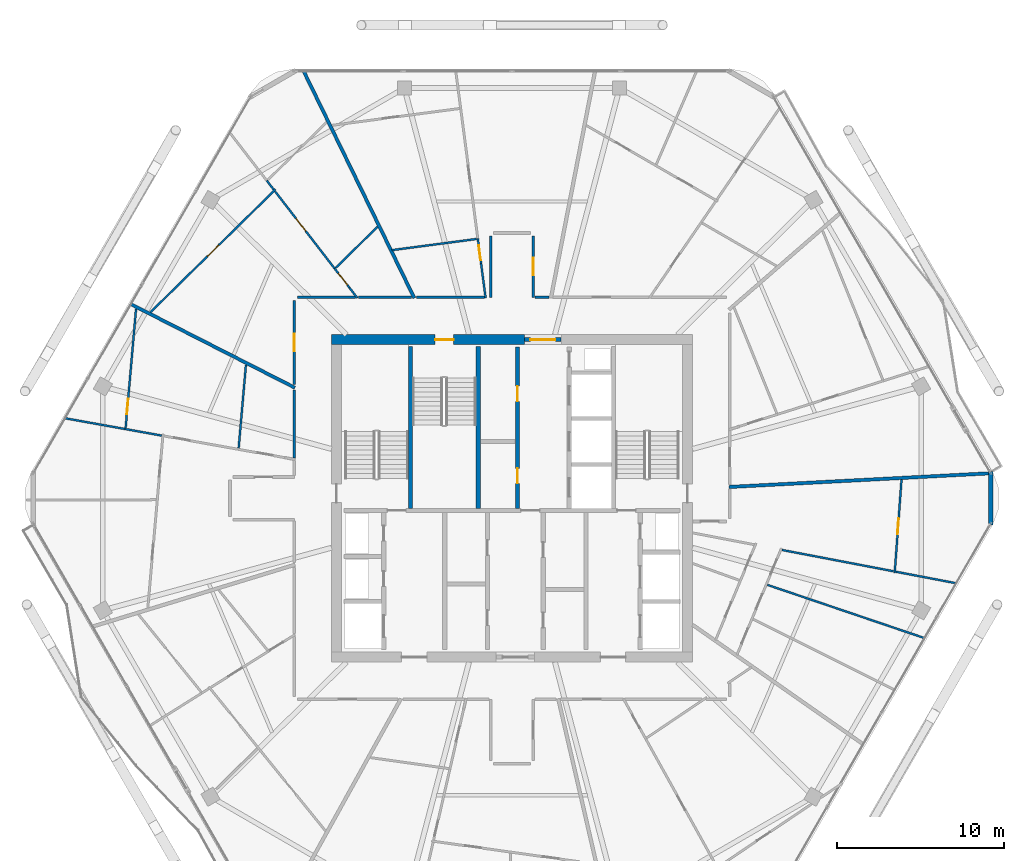
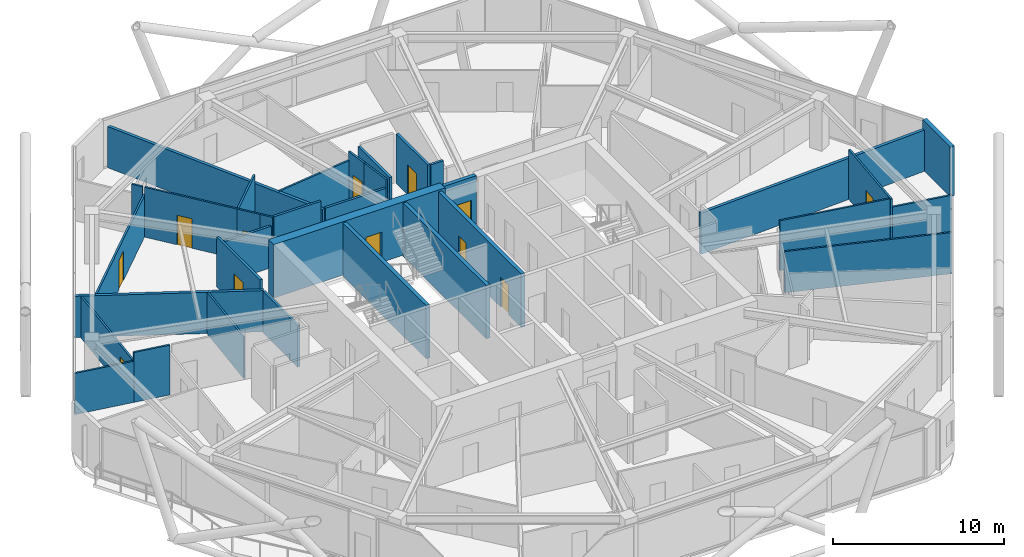
# One storey, part 23 of 28: 34 walls, 12 doors, 12 openings.
"""IFC4 building model written with IfcOpenShell, lengths in metres."""

from ifc_helpers import new_model, si_unit, direction, frame, frame_2d, origin, place, context, subcontext, project, spatial, rectangle, extrude, material, layer, layer_set, type_object, element, fill, save


model = new_model("IFC4")

# Units and contexts
model_context = context("Model", 3, precision=1e-05, world=origin(), true_north=direction((0.0, 1.0)))
body_context = subcontext(model_context, "Body", "Model", "MODEL_VIEW")
ifc_project = project(units=[si_unit("LENGTHUNIT", "METRE"), si_unit("AREAUNIT", "SQUARE_METRE"), si_unit("VOLUMEUNIT", "CUBIC_METRE"), si_unit("PLANEANGLEUNIT", "RADIAN"), si_unit("MASSUNIT", "GRAM", prefix="KILO")], contexts=[model_context])

# Site, building, storey
site_placement = place(None, origin())
site = spatial("IfcSite", under=ifc_project, at=site_placement, CompositionType="ELEMENT")
building_placement = place(site_placement, origin())
building = spatial("IfcBuilding", under=site, at=building_placement, Name="Zuhravey Tower", CompositionType="ELEMENT")
storey_placement = place(building_placement, frame((0.0, 0.0, 284.39990234375)))
storey = spatial("IfcBuildingStorey", under=building, at=storey_placement, Name="L72", CompositionType="ELEMENT", Elevation=284.39990234375)

# Wall, opening, door
ifc_material_1 = material(Name="Concrete C50/60", Category="concrete")
ifc_layer_1 = layer(ifc_material_1, 0.60009765625)
ifc_layer_set_1 = layer_set([ifc_layer_1], Name="Concrete C50/60")
wall_type_1 = type_object("IfcWallType", Name="Core Shear Wall 600", PredefinedType="SHEAR", material=ifc_layer_set_1)
wall_1_placement = place(storey_placement, frame((36.75, 41.5, 0.0), z_axis=(0.0, 0.0, 1.0), x_axis=(-1.0, 0.0, 0.0)))
wall_1 = element("IfcWall", 1, at=wall_1_placement, inside=storey, type_object=wall_type_1, Name="L72 North-West Core Shear Wall CW60", PredefinedType="SHEAR", context=body_context, shape_type="SweptSolid", body=[
    extrude(rectangle(XDim=11.550048828125, YDim=0.60009765625, at=frame_2d((5.77490234375, 0.0))), origin(), (0.0, 0.0, 1.0), 3.800048828125),
])
opening_1_placement = place(wall_1_placement, frame((4.25, 0.0, 0.0)))
opening_1 = element("IfcOpeningElement", 2, at=opening_1_placement, cuts=wall_1, Name="Opening STD1", PredefinedType="OPENING", context=body_context, shape_type="SweptSolid", body=[
    extrude(rectangle(XDim=1.10009765625, YDim=2.14990234375, at=frame_2d((0.550048828125, 1.074951171875))), frame((0.0, 0.31201171875, 0.0), z_axis=(0.0, -1.0, 0.0), x_axis=(1.0, 0.0, 0.0)), (0.0, 0.0, 1.0), 0.6240234375),
])
ifc_material_2 = material(Name="Galvanised fire-rated steel leaf", Category="steel")
door_type_1 = type_object("IfcDoorType", Name="Protected Stair Fire Door 1100x2150", OperationType="NOTDEFINED", PredefinedType="USERDEFINED", material=ifc_material_2)
door_1_placement = place(opening_1_placement, origin())
door_1 = element("IfcDoor", 3, at=door_1_placement, inside=storey, type_object=door_type_1, Name="L72 Stair ST3 Door", ObjectType="EXITDOOR", OperationType="SINGLE_SWING_RIGHT", OverallHeight=2.14990234375, OverallWidth=1.10009765625, PredefinedType="USERDEFINED", context=body_context, shape_type="SweptSolid", body=[
    extrude(rectangle(XDim=1.10009765625, YDim=2.14990234375, at=frame_2d((0.550048828125, 1.074951171875))), frame((0.0, 0.02490234375, 0.0), z_axis=(0.0, -1.0, 0.0), x_axis=(1.0, 0.0, 0.0)), (0.0, 0.0, 1.0), 0.050048828125),
])
fill(opening_1, door_1)

ifc_material_3 = material(Name="Gypsum fire-rated stud partition")
ifc_layer_2 = layer(ifc_material_3, 0.159912109375)
ifc_layer_set_2 = layer_set([ifc_layer_2], Name="Gypsum fire-rated stud partition")
wall_type_2 = type_object("IfcWallType", Name="Corridor Fire Partition 160", PredefinedType="PARTITIONING", material=ifc_layer_set_2)
wall_2_placement = place(storey_placement, frame((37.280029296875, 44.030029296875, 0.0), z_axis=(0.0, 0.0, 1.0), x_axis=(0.0, 1.0, 0.0)))
wall_2 = element("IfcWall", 4, at=wall_2_placement, inside=storey, type_object=wall_type_2, Name="L72 IW16 Partition 059", PredefinedType="PARTITIONING", context=body_context, shape_type="SweptSolid", body=[
    extrude(rectangle(XDim=3.669921875, YDim=0.159912109375, at=frame_2d((1.8349609375, 0.0))), origin(), (0.0, 0.0, 1.0), 3.550048828125),
])
opening_2_placement = place(wall_2_placement, frame((1.31005859375, 0.0, 0.0)))
opening_2 = element("IfcOpeningElement", 5, at=opening_2_placement, cuts=wall_2, Name="Opening APD1", PredefinedType="OPENING", context=body_context, shape_type="SweptSolid", body=[
    extrude(rectangle(XDim=1.050048828125, YDim=2.14990234375, at=frame_2d((0.52490234375, 1.074951171875))), frame((0.0, 0.092041015625, 0.0), z_axis=(0.0, -1.0, 0.0), x_axis=(1.0, 0.0, 0.0)), (0.0, 0.0, 1.0), 0.183837890625),
])
ifc_material_4 = material(Name="Solid-core oak fire-rated leaf")
door_type_2 = type_object("IfcDoorType", Name="Apartment Entrance Fire Door 1050x2150", OperationType="NOTDEFINED", PredefinedType="DOOR", material=ifc_material_4)
door_2_placement = place(opening_2_placement, origin())
door_2 = element("IfcDoor", 6, at=door_2_placement, inside=storey, type_object=door_type_2, Name="L72 Door 059.1", OperationType="SINGLE_SWING_LEFT", OverallHeight=2.14990234375, OverallWidth=1.050048828125, PredefinedType="DOOR", context=body_context, shape_type="SweptSolid", body=[
    extrude(rectangle(XDim=1.050048828125, YDim=2.14990234375, at=frame_2d((0.52490234375, 1.074951171875))), frame((0.0, 0.02490234375, 0.0), z_axis=(0.0, -1.0, 0.0), x_axis=(1.0, 0.0, 0.0)), (0.0, 0.0, 1.0), 0.050048828125),
])
fill(opening_2, door_2)

wall_3_placement = place(storey_placement, frame((22.969970703125, 43.85009765625, 0.0), z_axis=(0.0, 0.0, 1.0), x_axis=(0.0, -1.0, 0.0)))
wall_3 = element("IfcWall", 7, at=wall_3_placement, inside=storey, type_object=wall_type_2, Name="L72 IW16 Partition 065", PredefinedType="PARTITIONING", context=body_context, shape_type="SweptSolid", body=[
    extrude(rectangle(XDim=5.044677734375, YDim=0.159912109375, at=frame_2d((2.5224609375, 0.0))), origin(), (0.0, 0.0, 1.0), 3.550048828125),
])
opening_3_placement = place(wall_3_placement, frame((1.997314453125, 0.0, 0.0)))
opening_3 = element("IfcOpeningElement", 8, at=opening_3_placement, cuts=wall_3, Name="Opening APD1", PredefinedType="OPENING", context=body_context, shape_type="SweptSolid", body=[
    extrude(rectangle(XDim=1.050048828125, YDim=2.14990234375, at=frame_2d((0.52490234375, 1.074951171875))), frame((0.0, 0.092041015625, 0.0), z_axis=(0.0, -1.0, 0.0), x_axis=(1.0, 0.0, 0.0)), (0.0, 0.0, 1.0), 0.183837890625),
])
door_3_placement = place(opening_3_placement, frame((1.050048828125, 0.0, 0.0), z_axis=(0.0, 0.0, 1.0), x_axis=(-1.0, 0.0, 0.0)))
door_3 = element("IfcDoor", 9, at=door_3_placement, inside=storey, type_object=door_type_2, Name="L72 Door 065.1", OperationType="SINGLE_SWING_RIGHT", OverallHeight=2.14990234375, OverallWidth=1.050048828125, PredefinedType="DOOR", context=body_context, shape_type="SweptSolid", body=[
    extrude(rectangle(XDim=1.050048828125, YDim=2.14990234375, at=frame_2d((0.52490234375, 1.074951171875))), frame((0.0, 0.02490234375, 0.0), z_axis=(0.0, -1.0, 0.0), x_axis=(1.0, 0.0, 0.0)), (0.0, 0.0, 1.0), 0.050048828125),
])
fill(opening_3, door_3)

# Walls
wall_4_placement = place(storey_placement, frame((22.969970703125, 38.47412109375, 0.0), z_axis=(0.0, 0.0, 1.0), x_axis=(0.0, -1.0, 0.0)))
element("IfcWall", 10, at=wall_4_placement, inside=storey, type_object=wall_type_2, Name="L72 IW16 Partition 118", PredefinedType="PARTITIONING", context=body_context, shape_type="SweptSolid", body=[
    extrude(rectangle(XDim=4.06982421875, YDim=0.159912109375, at=frame_2d((2.034912109375, 0.0))), origin(), (0.0, 0.0, 1.0), 2.9501953125),
])
wall_5_placement = place(storey_placement, frame((34.719970703125, 47.699951171875, 0.0), z_axis=(0.0, 0.0, 1.0), x_axis=(0.0, -1.0, 0.0)))
element("IfcWall", 11, at=wall_5_placement, inside=storey, type_object=wall_type_2, Name="L72 IW16 Partition 132", PredefinedType="PARTITIONING", context=body_context, shape_type="SweptSolid", body=[
    extrude(rectangle(XDim=3.669921875, YDim=0.159912109375, at=frame_2d((1.8349609375, 0.0))), origin(), (0.0, 0.0, 1.0), 3.550048828125),
])
wall_6_placement = place(storey_placement, frame((38.209228515625, 44.030029296875, 0.0), z_axis=(0.0, 0.0, 1.0), x_axis=(-1.0, 0.0, 0.0)))
element("IfcWall", 12, at=wall_6_placement, inside=storey, type_object=wall_type_2, Name="L72 IW16 Partition 134", PredefinedType="PARTITIONING", context=body_context, shape_type="SweptSolid", body=[
    extrude(rectangle(XDim=0.84130859375, YDim=0.159912109375, at=frame_2d((0.420654296875, 0.0))), origin(), (0.0, 0.0, 1.0), 3.550048828125),
])
wall_7_placement = place(storey_placement, frame((34.34765625, 44.030029296875, 0.0), z_axis=(0.0, 0.0, 1.0), x_axis=(-1.0, 0.0, 0.0)))
element("IfcWall", 13, at=wall_7_placement, inside=storey, type_object=wall_type_2, Name="L72 IW16 Partition 135", PredefinedType="PARTITIONING", context=body_context, shape_type="SweptSolid", body=[
    extrude(rectangle(XDim=4.0634765625, YDim=0.159912109375, at=frame_2d((2.03173828125, 0.0))), origin(), (0.0, 0.0, 1.0), 2.9501953125),
])
wall_8_placement = place(storey_placement, frame((26.629638671875, 44.030029296875, 0.0), z_axis=(0.0, 0.0, 1.0), x_axis=(-1.0, 0.0, 0.0)))
element("IfcWall", 14, at=wall_8_placement, inside=storey, type_object=wall_type_2, Name="L72 IW16 Partition 136", PredefinedType="PARTITIONING", context=body_context, shape_type="SweptSolid", body=[
    extrude(rectangle(XDim=3.479736328125, YDim=0.159912109375, at=frame_2d((1.73974609375, 0.0))), origin(), (0.0, 0.0, 1.0), 2.9501953125),
])
wall_9_placement = place(storey_placement, frame((29.979736328125, 44.030029296875, 0.0), z_axis=(0.0, 0.0, 1.0), x_axis=(-1.0, 0.0, 0.0)))
element("IfcWall", 15, at=wall_9_placement, inside=storey, type_object=wall_type_2, Name="L72 IW16 Partition 137", PredefinedType="PARTITIONING", context=body_context, shape_type="SweptSolid", body=[
    extrude(rectangle(XDim=3.17822265625, YDim=0.159912109375, at=frame_2d((1.589111328125, 0.0))), origin(), (0.0, 0.0, 1.0), 3.550048828125),
])
ifc_material_5 = material(Name="Precast concrete C40/50", Category="concrete")
ifc_layer_3 = layer(ifc_material_5, 0.280029296875)
ifc_layer_set_3 = layer_set([ifc_layer_3], Name="Precast concrete C40/50")
wall_type_3 = type_object("IfcWallType", Name="Crown Architectural Wall 280", PredefinedType="SOLIDWALL", material=ifc_layer_set_3)
wall_10_placement = place(storey_placement, frame((64.64501953125, 33.607421875, 0.0), z_axis=(0.0, 0.0, 1.0), x_axis=(0.0, -1.0, 0.0)))
element("IfcWall", 16, at=wall_10_placement, inside=storey, type_object=wall_type_3, Name="L72 Rounded Corner Closure Wall EW28-12", PredefinedType="SOLIDWALL", context=body_context, shape_type="SweptSolid", body=[
    extrude(rectangle(XDim=3.21484375, YDim=0.280029296875, at=frame_2d((1.607421875, 0.0))), origin(), (0.0, 0.0, 1.0), 3.550048828125),
])

# Wall, opening, door
ifc_layer_4 = layer(ifc_material_1, 0.25)
ifc_layer_set_4 = layer_set([ifc_layer_4], Name="Concrete C50/60")
wall_type_4 = type_object("IfcWallType", Name="Firefighting Shaft & Stair Wall 250", PredefinedType="SOLIDWALL", material=ifc_layer_set_4)
wall_11_placement = place(storey_placement, frame((36.760009765625, 41.5, 0.0), z_axis=(0.0, 0.0, 1.0), x_axis=(1.0, 0.0, 0.0)))
wall_11 = element("IfcWall", 17, at=wall_11_placement, inside=storey, type_object=wall_type_4, Name="L72 FW25 Shaft Wall 002", PredefinedType="SOLIDWALL", context=body_context, shape_type="SweptSolid", body=[
    extrude(rectangle(XDim=2.179931640625, YDim=0.25, at=frame_2d((1.08984375, 0.0))), origin(), (0.0, 0.0, 1.0), 3.800048828125),
])
opening_4_placement = place(wall_11_placement, frame((0.340087890625, 0.0, 0.0)))
opening_4 = element("IfcOpeningElement", 18, at=opening_4_placement, cuts=wall_11, Name="Opening FFD1", PredefinedType="OPENING", context=body_context, shape_type="SweptSolid", body=[
    extrude(rectangle(XDim=1.5, YDim=2.14990234375, at=frame_2d((0.75, 1.074951171875))), frame((0.0, 0.136962890625, 0.0), z_axis=(0.0, -1.0, 0.0), x_axis=(1.0, 0.0, 0.0)), (0.0, 0.0, 1.0), 0.27392578125),
])
door_type_3 = type_object("IfcDoorType", Name="Firefighting Lobby Double Door 1500x2150", OperationType="DOUBLE_DOOR_SINGLE_SWING", PredefinedType="DOOR", material=ifc_material_2)
door_4_placement = place(opening_4_placement, origin())
door_4 = element("IfcDoor", 19, at=door_4_placement, inside=storey, type_object=door_type_3, Name="L72 North Lift Lobby Exit Door", OperationType="DOUBLE_DOOR_SINGLE_SWING", OverallHeight=2.14990234375, OverallWidth=1.5, PredefinedType="DOOR", context=body_context, shape_type="SweptSolid", body=[
    extrude(rectangle(XDim=1.5, YDim=2.14990234375, at=frame_2d((0.75, 1.074951171875))), frame((0.0, 0.02490234375, 0.0), z_axis=(0.0, -1.0, 0.0), x_axis=(1.0, 0.0, 0.0)), (0.0, 0.0, 1.0), 0.050048828125),
])
fill(opening_4, door_4)

# Walls
for number, where, z_axis, x_axis, name in (
    (20, (29.925048828125, 31.39990234375, 0.0), (0.0, 0.0, 1.0), (0.0, 1.0, 0.0), "L72 FW25 Shaft Wall 004"),
    (21, (33.97509765625, 31.39990234375, 0.0), (0.0, 0.0, 1.0), (0.0, 1.0, 0.0), "L72 FW25 Shaft Wall 005"),
):
    element("IfcWall", number, at=place(storey_placement, frame(where, z_axis=z_axis, x_axis=x_axis)), inside=storey, type_object=wall_type_4, Name=name, PredefinedType="SOLIDWALL", context=body_context, shape_type="SweptSolid", body=[
        extrude(rectangle(XDim=9.7001953125, YDim=0.25, at=frame_2d((4.85009765625, 0.0))), origin(), (0.0, 0.0, 1.0), 3.800048828125),
    ])

# Wall, openings, doors
wall_12_placement = place(storey_placement, frame((36.324951171875, 31.39990234375, 0.0), z_axis=(0.0, 0.0, 1.0), x_axis=(0.0, 1.0, 0.0)))
wall_12 = element("IfcWall", 22, at=wall_12_placement, inside=storey, type_object=wall_type_4, Name="L72 FW25 Shaft Wall 007", PredefinedType="SOLIDWALL", context=body_context, shape_type="SweptSolid", body=[
    extrude(rectangle(XDim=9.650146484375, YDim=0.25, at=frame_2d((4.8251953125, 0.0))), origin(), (0.0, 0.0, 1.0), 3.800048828125),
])
opening_5_placement = place(wall_12_placement, frame((1.489990234375, 0.0, 0.0)))
opening_5 = element("IfcOpeningElement", 23, at=opening_5_placement, cuts=wall_12, Name="Opening RSD1", PredefinedType="OPENING", context=body_context, shape_type="SweptSolid", body=[
    extrude(rectangle(XDim=0.89990234375, YDim=2.10009765625, at=frame_2d((0.449951171875, 1.050048828125))), frame((0.0, 0.136962890625, 0.0), z_axis=(0.0, -1.0, 0.0), x_axis=(1.0, 0.0, 0.0)), (0.0, 0.0, 1.0), 0.27392578125),
])
opening_6_placement = place(wall_12_placement, frame((6.409912109375, 0.0, 0.0)))
opening_6 = element("IfcOpeningElement", 24, at=opening_6_placement, cuts=wall_12, Name="Opening RSD1", PredefinedType="OPENING", context=body_context, shape_type="SweptSolid", body=[
    extrude(rectangle(XDim=0.89990234375, YDim=2.10009765625, at=frame_2d((0.449951171875, 1.050048828125))), frame((0.0, 0.136962890625, 0.0), z_axis=(0.0, -1.0, 0.0), x_axis=(1.0, 0.0, 0.0)), (0.0, 0.0, 1.0), 0.27392578125),
])
ifc_material_6 = material(Name="Galvanised fire-rated steel access leaf", Category="steel")
door_type_4 = type_object("IfcDoorType", Name="Riser & Shaft Access Fire Door 900x2100", OperationType="NOTDEFINED", PredefinedType="DOOR", material=ifc_material_6)
door_5_placement = place(opening_5_placement, origin())
door_5 = element("IfcDoor", 25, at=door_5_placement, inside=storey, type_object=door_type_4, Name="L72 Core Cleaner Store Door", OperationType="SINGLE_SWING_RIGHT", OverallHeight=2.10009765625, OverallWidth=0.89990234375, PredefinedType="DOOR", context=body_context, shape_type="SweptSolid", body=[
    extrude(rectangle(XDim=0.89990234375, YDim=2.10009765625, at=frame_2d((0.449951171875, 1.050048828125))), frame((0.0, 0.02490234375, 0.0), z_axis=(0.0, -1.0, 0.0), x_axis=(1.0, 0.0, 0.0)), (0.0, 0.0, 1.0), 0.050048828125),
])
fill(opening_5, door_5)
door_6_placement = place(opening_6_placement, origin())
door_6 = element("IfcDoor", 26, at=door_6_placement, inside=storey, type_object=door_type_4, Name="L72 Core Pantry and Tea Room Door", OperationType="SINGLE_SWING_LEFT", OverallHeight=2.10009765625, OverallWidth=0.89990234375, PredefinedType="DOOR", context=body_context, shape_type="SweptSolid", body=[
    extrude(rectangle(XDim=0.89990234375, YDim=2.10009765625, at=frame_2d((0.449951171875, 1.050048828125))), frame((0.0, 0.02490234375, 0.0), z_axis=(0.0, -1.0, 0.0), x_axis=(1.0, 0.0, 0.0)), (0.0, 0.0, 1.0), 0.050048828125),
])
fill(opening_6, door_6)

# Walls
ifc_material_7 = material(Name="Gypsum double-stud party assembly")
ifc_layer_5 = layer(ifc_material_7, 0.199951171875)
ifc_layer_set_5 = layer_set([ifc_layer_5], Name="Gypsum double-stud party assembly")
wall_type_5 = type_object("IfcWallType", Name="Inter-Tenancy Party Wall 200", PredefinedType="PARTITIONING", material=ifc_layer_set_5)
wall_13_placement = place(storey_placement, frame((23.010009765625, 38.61865234375, 0.0), z_axis=(0.0, 0.0, 1.0), x_axis=(-0.891002805017, 0.453997798951, 0.0)))
element("IfcWall", 27, at=wall_13_placement, inside=storey, type_object=wall_type_5, Name="L72 IW20 Partition 070", PredefinedType="PARTITIONING", context=body_context, shape_type="SweptSolid", body=[
    extrude(rectangle(XDim=11.019775390625, YDim=0.199951171875, at=frame_2d((5.509765625, 0.0))), origin(), (0.0, 0.0, 1.0), 2.93017578125),
])
wall_14_placement = place(storey_placement, frame((48.989990234375, 32.680908203125, 0.0), z_axis=(0.0, 0.0, 1.0), x_axis=(0.998629458789, 0.052337405734, 0.0)))
element("IfcWall", 28, at=wall_14_placement, inside=storey, type_object=wall_type_5, Name="L72 IW20 Partition 098", PredefinedType="PARTITIONING", context=body_context, shape_type="SweptSolid", body=[
    extrude(rectangle(XDim=15.682861328125, YDim=0.199951171875, at=frame_2d((7.84130859375, 0.0))), origin(), (0.0, 0.0, 1.0), 2.93017578125),
])
wall_15_placement = place(storey_placement, frame((30.152099609375, 43.989990234375, 0.0), z_axis=(0.0, 0.0, 1.0), x_axis=(-0.438371715405, 0.898793768967, 0.0)))
element("IfcWall", 29, at=wall_15_placement, inside=storey, type_object=wall_type_5, Name="L72 IW20 Partition 110", PredefinedType="PARTITIONING", context=body_context, shape_type="SweptSolid", body=[
    extrude(rectangle(XDim=15.10205078125, YDim=0.199951171875, at=frame_2d((7.551025390625, 0.0))), origin(), (0.0, 0.0, 1.0), 2.93017578125),
])
ifc_material_8 = material(Name="Gypsum metal-stud partition")
ifc_layer_6 = layer(ifc_material_8, 0.1201171875)
ifc_layer_set_6 = layer_set([ifc_layer_6], Name="Gypsum metal-stud partition")
wall_type_6 = type_object("IfcWallType", Name="Unit Internal Partition 120", PredefinedType="PARTITIONING", material=ifc_layer_set_6)
wall_16_placement = place(storey_placement, frame((15.03955078125, 35.75634765625, 0.0), z_axis=(0.0, 0.0, 1.0), x_axis=(-0.984322452482, 0.176378313689, 0.0)))
element("IfcWall", 30, at=wall_16_placement, inside=storey, type_object=wall_type_6, Name="L72 IW12 Partition 024", PredefinedType="PARTITIONING", context=body_context, shape_type="SweptSolid", body=[
    extrude(rectangle(XDim=2.228515625, YDim=0.1201171875, at=frame_2d((1.1142578125, 0.0))), origin(), (0.0, 0.0, 1.0), 3.550048828125),
])

# Wall, opening, door
wall_17_placement = place(storey_placement, frame((13.49951171875, 43.330078125, 0.0), z_axis=(0.0, 0.0, 1.0), x_axis=(-0.087173732825, -0.996193124, 0.0)))
wall_17 = element("IfcWall", 31, at=wall_17_placement, inside=storey, type_object=wall_type_6, Name="L72 IW12 Partition 025", PredefinedType="PARTITIONING", context=body_context, shape_type="SweptSolid", body=[
    extrude(rectangle(XDim=7.144287109375, YDim=0.1201171875, at=frame_2d((3.572265625, 0.0))), origin(), (0.0, 0.0, 1.0), 2.93017578125),
])
opening_7_placement = place(wall_17_placement, frame((5.381591796875, 0.0, 0.0)))
opening_7 = element("IfcOpeningElement", 32, at=opening_7_placement, cuts=wall_17, Name="Opening IND1", PredefinedType="OPENING", context=body_context, shape_type="SweptSolid", body=[
    extrude(rectangle(XDim=0.949951171875, YDim=2.10009765625, at=frame_2d((0.47509765625, 1.050048828125))), frame((0.0, 0.072021484375, 0.0), z_axis=(0.0, -1.0, 0.0), x_axis=(1.0, 0.0, 0.0)), (0.0, 0.0, 1.0), 0.14404296875),
])
ifc_material_9 = material(Name="Painted engineered timber leaf", Category="wood")
door_type_5 = type_object("IfcDoorType", Name="Internal Room & Bedroom Door 950x2100", OperationType="NOTDEFINED", PredefinedType="DOOR", material=ifc_material_9)
door_7_placement = place(opening_7_placement, frame((0.949951171875, 0.0, 0.0), z_axis=(0.0, 0.0, 1.0), x_axis=(-1.0, 0.0, 0.0)))
door_7 = element("IfcDoor", 33, at=door_7_placement, inside=storey, type_object=door_type_5, Name="Apartment L72-01 Bedroom 1 Door", OperationType="SINGLE_SWING_RIGHT", OverallHeight=2.10009765625, OverallWidth=0.949951171875, PredefinedType="DOOR", context=body_context, shape_type="SweptSolid", body=[
    extrude(rectangle(XDim=0.949951171875, YDim=2.10009765625, at=frame_2d((0.47509765625, 1.050048828125))), frame((0.0, 0.02490234375, 0.0), z_axis=(0.0, -1.0, 0.0), x_axis=(1.0, 0.0, 0.0)), (0.0, 0.0, 1.0), 0.050048828125),
])
fill(opening_7, door_7)

wall_18_placement = place(storey_placement, frame((58.902587890625, 27.52099609375, 0.0), z_axis=(0.0, 0.0, 1.0), x_axis=(0.072523893028, 0.99736667527, 0.0)))
wall_18 = element("IfcWall", 34, at=wall_18_placement, inside=storey, type_object=wall_type_6, Name="L72 IW12 Partition 043", PredefinedType="PARTITIONING", context=body_context, shape_type="SweptSolid", body=[
    extrude(rectangle(XDim=5.61181640625, YDim=0.1201171875, at=frame_2d((2.805908203125, 0.0))), origin(), (0.0, 0.0, 1.0), 3.550048828125),
])
opening_8_placement = place(wall_18_placement, frame((2.330810546875, 0.0, 0.0)))
opening_8 = element("IfcOpeningElement", 35, at=opening_8_placement, cuts=wall_18, Name="Opening IND1", PredefinedType="OPENING", context=body_context, shape_type="SweptSolid", body=[
    extrude(rectangle(XDim=0.949951171875, YDim=2.10009765625, at=frame_2d((0.47509765625, 1.050048828125))), frame((0.0, 0.072021484375, 0.0), z_axis=(0.0, -1.0, 0.0), x_axis=(1.0, 0.0, 0.0)), (0.0, 0.0, 1.0), 0.14404296875),
])
door_8_placement = place(opening_8_placement, frame((0.949951171875, 0.0, 0.0), z_axis=(0.0, 0.0, 1.0), x_axis=(-1.0, 0.0, 0.0)))
door_8 = element("IfcDoor", 36, at=door_8_placement, inside=storey, type_object=door_type_5, Name="Apartment L72-05 Family Study Door", OperationType="SINGLE_SWING_RIGHT", OverallHeight=2.10009765625, OverallWidth=0.949951171875, PredefinedType="DOOR", context=body_context, shape_type="SweptSolid", body=[
    extrude(rectangle(XDim=0.949951171875, YDim=2.10009765625, at=frame_2d((0.47509765625, 1.050048828125))), frame((0.0, 0.02490234375, 0.0), z_axis=(0.0, -1.0, 0.0), x_axis=(1.0, 0.0, 0.0)), (0.0, 0.0, 1.0), 0.050048828125),
])
fill(opening_8, door_8)

wall_19_placement = place(storey_placement, frame((34.14990234375, 46.052001953125, 0.0), z_axis=(0.0, 0.0, 1.0), x_axis=(-0.130446191053, 0.991455390444, 0.0)))
wall_19 = element("IfcWall", 37, at=wall_19_placement, inside=storey, type_object=wall_type_6, Name="L72 IW12 Partition 056", PredefinedType="PARTITIONING", context=body_context, shape_type="SweptSolid", body=[
    extrude(rectangle(XDim=1.517822265625, YDim=0.1201171875, at=frame_2d((0.7587890625, 0.0))), origin(), (0.0, 0.0, 1.0), 3.550048828125),
])
opening_9_placement = place(wall_19_placement, frame((0.199951171875, 0.0, 0.0)))
opening_9 = element("IfcOpeningElement", 38, at=opening_9_placement, cuts=wall_19, Name="Opening WCD1", PredefinedType="OPENING", context=body_context, shape_type="SweptSolid", body=[
    extrude(rectangle(XDim=0.89990234375, YDim=2.10009765625, at=frame_2d((0.449951171875, 1.050048828125))), frame((0.0, 0.072021484375, 0.0), z_axis=(0.0, -1.0, 0.0), x_axis=(1.0, 0.0, 0.0)), (0.0, 0.0, 1.0), 0.14404296875),
])
ifc_material_10 = material(Name="Moisture-resistant timber leaf", Category="wood")
door_type_6 = type_object("IfcDoorType", Name="Bathroom & WC Internal Door 900x2100", OperationType="NOTDEFINED", PredefinedType="DOOR", material=ifc_material_10)
door_9_placement = place(opening_9_placement, origin())
door_9 = element("IfcDoor", 39, at=door_9_placement, inside=storey, type_object=door_type_6, Name="Apartment L72-08 Bathroom Door", OperationType="SINGLE_SWING_RIGHT", OverallHeight=2.10009765625, OverallWidth=0.89990234375, PredefinedType="DOOR", context=body_context, shape_type="SweptSolid", body=[
    extrude(rectangle(XDim=0.89990234375, YDim=2.10009765625, at=frame_2d((0.449951171875, 1.050048828125))), frame((0.0, 0.02490234375, 0.0), z_axis=(0.0, -1.0, 0.0), x_axis=(1.0, 0.0, 0.0)), (0.0, 0.0, 1.0), 0.050048828125),
])
fill(opening_9, door_9)

wall_20_placement = place(storey_placement, frame((21.851318359375, 50.49609375, 0.0), z_axis=(0.0, 0.0, 1.0), x_axis=(-0.713249440672, -0.700910290537, 0.0)))
wall_20 = element("IfcWall", 40, at=wall_20_placement, inside=storey, type_object=wall_type_6, Name="L72 IW12 Partition 060", PredefinedType="PARTITIONING", context=body_context, shape_type="SweptSolid", body=[
    extrude(rectangle(XDim=10.486572265625, YDim=0.1201171875, at=frame_2d((5.2431640625, 0.0))), origin(), (0.0, 0.0, 1.0), 2.9501953125),
])
opening_10_placement = place(wall_20_placement, frame((4.768310546875, 0.0, 0.0)))
opening_10 = element("IfcOpeningElement", 41, at=opening_10_placement, cuts=wall_20, Name="Opening IND1", PredefinedType="OPENING", context=body_context, shape_type="SweptSolid", body=[
    extrude(rectangle(XDim=0.949951171875, YDim=2.10009765625, at=frame_2d((0.47509765625, 1.050048828125))), frame((0.0, 0.072021484375, 0.0), z_axis=(0.0, -1.0, 0.0), x_axis=(1.0, 0.0, 0.0)), (0.0, 0.0, 1.0), 0.14404296875),
])
door_10_placement = place(opening_10_placement, frame((0.949951171875, 0.0, 0.0), z_axis=(0.0, 0.0, 1.0), x_axis=(-1.0, 0.0, 0.0)))
door_10 = element("IfcDoor", 42, at=door_10_placement, inside=storey, type_object=door_type_5, Name="Apartment L72-09 Family Study Door", OperationType="SINGLE_SWING_RIGHT", OverallHeight=2.10009765625, OverallWidth=0.949951171875, PredefinedType="DOOR", context=body_context, shape_type="SweptSolid", body=[
    extrude(rectangle(XDim=0.949951171875, YDim=2.10009765625, at=frame_2d((0.47509765625, 1.050048828125))), frame((0.0, 0.02490234375, 0.0), z_axis=(0.0, -1.0, 0.0), x_axis=(1.0, 0.0, 0.0)), (0.0, 0.0, 1.0), 0.050048828125),
])
fill(opening_10, door_10)

wall_21_placement = place(storey_placement, frame((26.275634765625, 44.60009765625, 0.0), z_axis=(0.0, 0.0, 1.0), x_axis=(-0.611021070932, 0.791614332158, 0.0)))
wall_21 = element("IfcWall", 43, at=wall_21_placement, inside=storey, type_object=wall_type_6, Name="L72 IW12 Partition 061", PredefinedType="PARTITIONING", context=body_context, shape_type="SweptSolid", body=[
    extrude(rectangle(XDim=1.466796875, YDim=0.1201171875, at=frame_2d((0.7333984375, 0.0))), origin(), (0.0, 0.0, 1.0), 3.550048828125),
])
opening_11_placement = place(wall_21_placement, frame((0.199951171875, 0.0, 0.0)))
opening_11 = element("IfcOpeningElement", 44, at=opening_11_placement, cuts=wall_21, Name="Opening WCD1", PredefinedType="OPENING", context=body_context, shape_type="SweptSolid", body=[
    extrude(rectangle(XDim=0.89990234375, YDim=2.10009765625, at=frame_2d((0.449951171875, 1.050048828125))), frame((0.0, 0.072021484375, 0.0), z_axis=(0.0, -1.0, 0.0), x_axis=(1.0, 0.0, 0.0)), (0.0, 0.0, 1.0), 0.14404296875),
])
door_11_placement = place(opening_11_placement, frame((0.89990234375, 0.0, 0.0), z_axis=(0.0, 0.0, 1.0), x_axis=(-1.0, 0.0, 0.0)))
door_11 = element("IfcDoor", 45, at=door_11_placement, inside=storey, type_object=door_type_6, Name="Apartment L72-09 Bathroom Door", OperationType="SINGLE_SWING_LEFT", OverallHeight=2.10009765625, OverallWidth=0.89990234375, PredefinedType="DOOR", context=body_context, shape_type="SweptSolid", body=[
    extrude(rectangle(XDim=0.89990234375, YDim=2.10009765625, at=frame_2d((0.449951171875, 1.050048828125))), frame((0.0, 0.02490234375, 0.0), z_axis=(0.0, -1.0, 0.0), x_axis=(1.0, 0.0, 0.0)), (0.0, 0.0, 1.0), 0.050048828125),
])
fill(opening_11, door_11)

wall_22_placement = place(storey_placement, frame((25.37939453125, 45.76123046875, 0.0), z_axis=(0.0, 0.0, 1.0), x_axis=(-0.610990418686, 0.791637990671, 0.0)))
wall_22 = element("IfcWall", 46, at=wall_22_placement, inside=storey, type_object=wall_type_6, Name="L72 IW12 Partition 062", PredefinedType="PARTITIONING", context=body_context, shape_type="SweptSolid", body=[
    extrude(rectangle(XDim=5.823486328125, YDim=0.1201171875, at=frame_2d((2.91162109375, 0.0))), origin(), (0.0, 0.0, 1.0), 3.550048828125),
])
opening_12_placement = place(wall_22_placement, frame((2.822998046875, 0.0, 0.0)))
opening_12 = element("IfcOpeningElement", 47, at=opening_12_placement, cuts=wall_22, Name="Opening IND1", PredefinedType="OPENING", context=body_context, shape_type="SweptSolid", body=[
    extrude(rectangle(XDim=0.949951171875, YDim=2.10009765625, at=frame_2d((0.47509765625, 1.050048828125))), frame((0.0, 0.072021484375, 0.0), z_axis=(0.0, -1.0, 0.0), x_axis=(1.0, 0.0, 0.0)), (0.0, 0.0, 1.0), 0.14404296875),
])
door_12_placement = place(opening_12_placement, frame((0.949951171875, 0.0, 0.0), z_axis=(0.0, 0.0, 1.0), x_axis=(-1.0, 0.0, 0.0)))
door_12 = element("IfcDoor", 48, at=door_12_placement, inside=storey, type_object=door_type_5, Name="Apartment L72-09 Home Office Door", OperationType="SINGLE_SWING_RIGHT", OverallHeight=2.10009765625, OverallWidth=0.949951171875, PredefinedType="DOOR", context=body_context, shape_type="SweptSolid", body=[
    extrude(rectangle(XDim=0.949951171875, YDim=2.10009765625, at=frame_2d((0.47509765625, 1.050048828125))), frame((0.0, 0.02490234375, 0.0), z_axis=(0.0, -1.0, 0.0), x_axis=(1.0, 0.0, 0.0)), (0.0, 0.0, 1.0), 0.050048828125),
])
fill(opening_12, door_12)

# Walls
wall_23_placement = place(storey_placement, frame((21.73779296875, 50.47998046875, 0.0), z_axis=(0.0, 0.0, 1.0), x_axis=(-0.611052177593, 0.791590320973, 0.0)))
element("IfcWall", 49, at=wall_23_placement, inside=storey, type_object=wall_type_6, Name="L72 IW12 Partition 063", PredefinedType="PARTITIONING", context=body_context, shape_type="SweptSolid", body=[
    extrude(rectangle(XDim=0.685546875, YDim=0.1201171875, at=frame_2d((0.3427734375, 0.0))), origin(), (0.0, 0.0, 1.0), 3.550048828125),
])
wall_24_placement = place(storey_placement, frame((12.845947265625, 36.1494140625, 0.0), z_axis=(0.0, 0.0, 1.0), x_axis=(-0.984314332116, 0.176423625375, 0.0)))
element("IfcWall", 50, at=wall_24_placement, inside=storey, type_object=wall_type_6, Name="L72 IW12 Partition 073", PredefinedType="PARTITIONING", context=body_context, shape_type="SweptSolid", body=[
    extrude(rectangle(XDim=3.657470703125, YDim=0.1201171875, at=frame_2d((1.82861328125, 0.0))), origin(), (0.0, 0.0, 1.0), 2.93017578125),
])
wall_25_placement = place(storey_placement, frame((20.076904296875, 39.9921875, 0.0), z_axis=(0.0, 0.0, 1.0), x_axis=(-0.087174203927, -0.996193082775, 0.0)))
element("IfcWall", 51, at=wall_25_placement, inside=storey, type_object=wall_type_6, Name="L72 IW12 Partition 074", PredefinedType="PARTITIONING", context=body_context, shape_type="SweptSolid", body=[
    extrude(rectangle(XDim=5.01025390625, YDim=0.1201171875, at=frame_2d((2.505126953125, 0.0))), origin(), (0.0, 0.0, 1.0), 2.9501953125),
])
wall_26_placement = place(storey_placement, frame((51.28466796875, 26.822509765625, 0.0), z_axis=(0.0, 0.0, 1.0), x_axis=(0.947134584663, -0.320836529302, 0.0)))
element("IfcWall", 52, at=wall_26_placement, inside=storey, type_object=wall_type_6, Name="L72 IW12 Partition 094", PredefinedType="PARTITIONING", context=body_context, shape_type="SweptSolid", body=[
    extrude(rectangle(XDim=9.940185546875, YDim=0.1201171875, at=frame_2d((4.97021484375, 0.0))), origin(), (0.0, 0.0, 1.0), 2.93017578125),
])
wall_27_placement = place(storey_placement, frame((52.156982421875, 28.912109375, 0.0), z_axis=(0.0, 0.0, 1.0), x_axis=(0.982220961198, -0.187728483144, 0.0)))
element("IfcWall", 53, at=wall_27_placement, inside=storey, type_object=wall_type_6, Name="L72 IW12 Partition 096", PredefinedType="PARTITIONING", context=body_context, shape_type="SweptSolid", body=[
    extrude(rectangle(XDim=6.806884765625, YDim=0.1201171875, at=frame_2d((3.4033203125, 0.0))), origin(), (0.0, 0.0, 1.0), 3.550048828125),
])
wall_28_placement = place(storey_placement, frame((58.97705078125, 27.608642578125, 0.0), z_axis=(0.0, 0.0, 1.0), x_axis=(0.982222884099, -0.187718421986, 0.0)))
element("IfcWall", 54, at=wall_28_placement, inside=storey, type_object=wall_type_6, Name="L72 IW12 Partition 097", PredefinedType="PARTITIONING", context=body_context, shape_type="SweptSolid", body=[
    extrude(rectangle(XDim=3.681884765625, YDim=0.1201171875, at=frame_2d((1.8408203125, 0.0))), origin(), (0.0, 0.0, 1.0), 2.93017578125),
])
wall_29_placement = place(storey_placement, frame((34.422119140625, 43.985107421875, 0.0), z_axis=(0.0, 0.0, 1.0), x_axis=(-0.13057568554, 0.991438344198, 0.0)))
element("IfcWall", 55, at=wall_29_placement, inside=storey, type_object=wall_type_6, Name="L72 IW12 Partition 107", PredefinedType="PARTITIONING", context=body_context, shape_type="SweptSolid", body=[
    extrude(rectangle(XDim=2.084716796875, YDim=0.1201171875, at=frame_2d((1.04248046875, 0.0))), origin(), (0.0, 0.0, 1.0), 3.550048828125),
])
wall_30_placement = place(storey_placement, frame((33.8876953125, 47.523193359375, 0.0), z_axis=(0.0, 0.0, 1.0), x_axis=(-0.991446514555, -0.130513634444, 0.0)))
element("IfcWall", 56, at=wall_30_placement, inside=storey, type_object=wall_type_6, Name="L72 IW12 Partition 109", PredefinedType="PARTITIONING", context=body_context, shape_type="SweptSolid", body=[
    extrude(rectangle(XDim=5.12744140625, YDim=0.1201171875, at=frame_2d((2.563720703125, 0.0))), origin(), (0.0, 0.0, 1.0), 2.9501953125),
])
wall_31_placement = place(storey_placement, frame((26.750244140625, 43.985107421875, 0.0), z_axis=(0.0, 0.0, 1.0), x_axis=(-0.610955434965, 0.79166499006, 0.0)))
element("IfcWall", 57, at=wall_31_placement, inside=storey, type_object=wall_type_6, Name="L72 IW12 Partition 111", PredefinedType="PARTITIONING", context=body_context, shape_type="SweptSolid", body=[
    extrude(rectangle(XDim=0.77685546875, YDim=0.1201171875, at=frame_2d((0.388427734375, 0.0))), origin(), (0.0, 0.0, 1.0), 3.550048828125),
])
wall_32_placement = place(storey_placement, frame((27.951904296875, 48.25439453125, 0.0), z_axis=(0.0, 0.0, 1.0), x_axis=(-0.713223784255, -0.700936397666, 0.0)))
element("IfcWall", 58, at=wall_32_placement, inside=storey, type_object=wall_type_6, Name="L72 IW12 Partition 113", PredefinedType="PARTITIONING", context=body_context, shape_type="SweptSolid", body=[
    extrude(rectangle(XDim=3.516845703125, YDim=0.1201171875, at=frame_2d((1.75830078125, 0.0))), origin(), (0.0, 0.0, 1.0), 3.550048828125),
])

save(model, "model.ifc")
